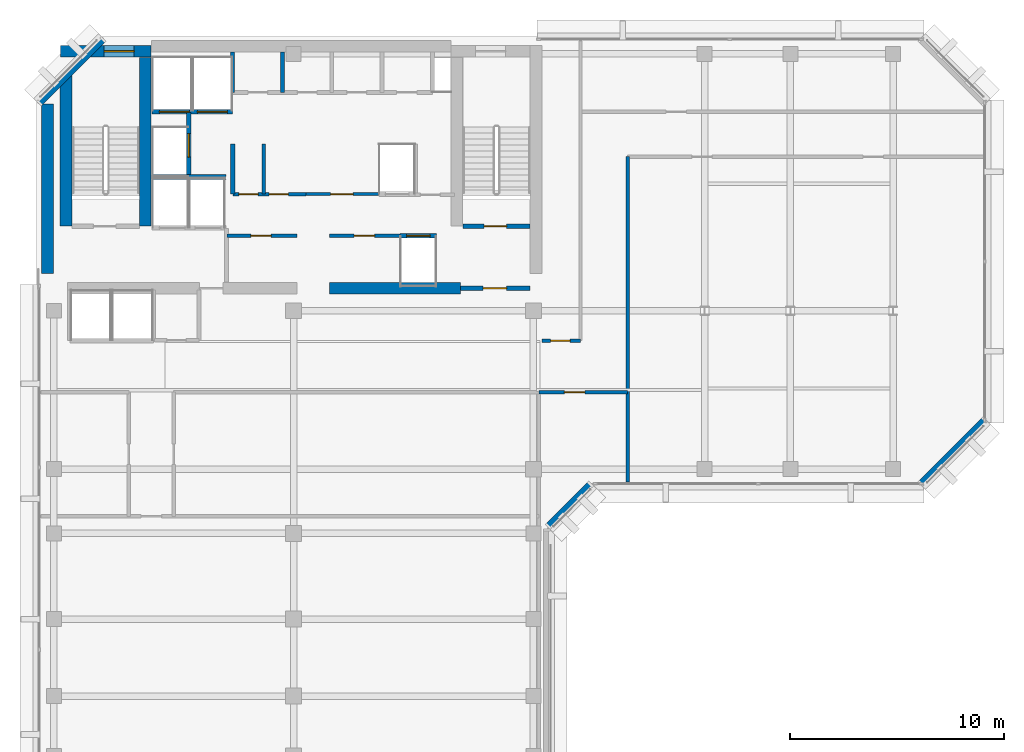
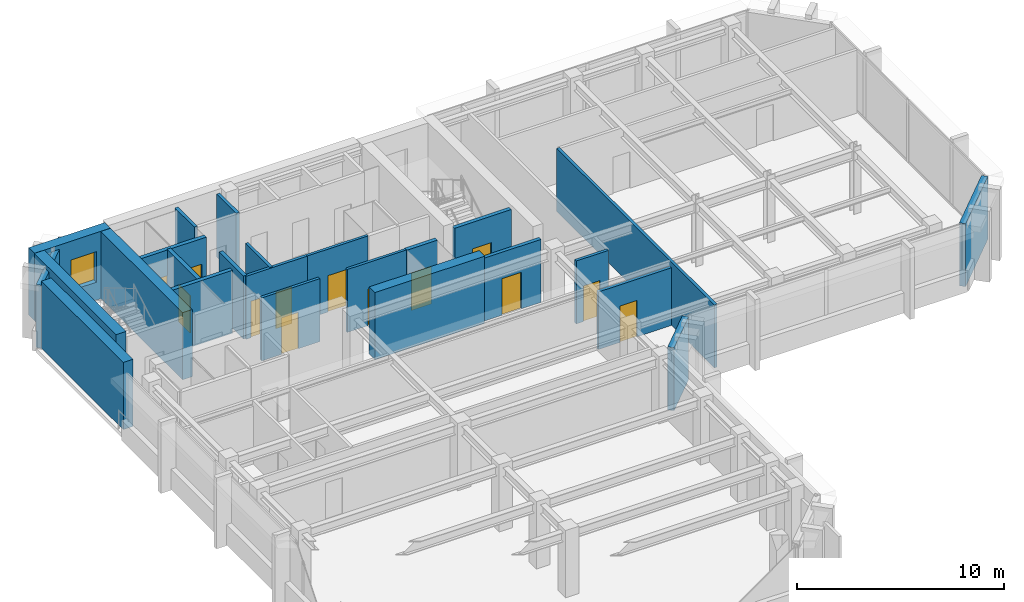
# One storey, part 7 of 11: 25 walls, 13 doors, 1 window, 14 openings.
"""IFC4 building model written with IfcOpenShell, lengths in metres."""

from ifc_helpers import new_model, si_unit, direction, frame, frame_2d, origin, place, context, subcontext, project, spatial, rectangle, extrude, material, layer, layer_set, type_object, element, fill, save


model = new_model("IFC4")

# Units and contexts
model_context = context("Model", 3, precision=1e-05, world=origin(), true_north=direction((0.0, 1.0)))
body_context = subcontext(model_context, "Body", "Model", "MODEL_VIEW")
ifc_project = project(units=[si_unit("LENGTHUNIT", "METRE"), si_unit("AREAUNIT", "SQUARE_METRE"), si_unit("VOLUMEUNIT", "CUBIC_METRE"), si_unit("PLANEANGLEUNIT", "RADIAN"), si_unit("MASSUNIT", "GRAM", prefix="KILO")], contexts=[model_context])

# Site, building, storey
site_placement = place(None, origin())
site = spatial("IfcSite", under=ifc_project, at=site_placement, CompositionType="ELEMENT")
building_placement = place(site_placement, origin())
building = spatial("IfcBuilding", under=site, at=building_placement, Name="Kefirva Bronze Tower", CompositionType="ELEMENT")
storey_placement = place(building_placement, frame((0.0, 0.0, 343.530029296875)))
storey = spatial("IfcBuildingStorey", under=building, at=storey_placement, Name="L84", CompositionType="ELEMENT", Elevation=343.530029296875)

# Wall, opening, door
ifc_material_1 = material(Name="Gypsum acoustic partition")
ifc_layer_1 = layer(ifc_material_1, 0.14990234375, Name="Gypsum acoustic partition")
ifc_layer_set_1 = layer_set([ifc_layer_1], Name="Gypsum acoustic partition")
wall_type_1 = type_object("IfcWallType", Name="Executive Suite Partition 150mm", PredefinedType="PARTITIONING", material=ifc_layer_set_1)
wall_1_placement = place(storey_placement, frame((13.679931640625, 36.699951171875, 0.0), z_axis=(0.0, 0.0, 1.0), x_axis=(1.0, 0.0, 0.0)))
wall_1 = element("IfcWall", 1, at=wall_1_placement, inside=storey, type_object=wall_type_1, Name="L84 Partition W-L84-RECMP1", PredefinedType="PARTITIONING", context=body_context, shape_type="SweptSolid", body=[
    extrude(rectangle(XDim=3.280029296875, YDim=0.14990234375, at=frame_2d((1.64013671875, 0.0))), origin(), (0.0, 0.0, 1.0), 3.7099609375),
])
opening_1_placement = place(wall_1_placement, frame((1.14990234375, 0.0, 0.0)))
opening_1 = element("IfcOpeningElement", 2, at=opening_1_placement, cuts=wall_1, Name="Opening L84-D-RECMP1", PredefinedType="OPENING", context=body_context, shape_type="SweptSolid", body=[
    extrude(rectangle(XDim=0.949951171875, YDim=2.14990234375, at=frame_2d((0.47509765625, 1.074951171875))), frame((0.0, 0.0849609375, 0.0), z_axis=(0.0, -1.0, 0.0), x_axis=(1.0, 0.0, 0.0)), (0.0, 0.0, 1.0), 0.169921875),
])
ifc_material_2 = material(Name="Acoustic hardwood oak", Category="wood")
door_type_1 = type_object("IfcDoorType", Name="Office & Meeting Room Door 950x2150", OperationType="NOTDEFINED", PredefinedType="DOOR", material=ifc_material_2)
door_1_placement = place(opening_1_placement, origin())
door_1 = element("IfcDoor", 3, at=door_1_placement, inside=storey, type_object=door_type_1, Name="Door L84-D-RECMP1", OperationType="SINGLE_SWING_LEFT", OverallHeight=2.14990234375, OverallWidth=0.949951171875, PredefinedType="DOOR", context=body_context, shape_type="SweptSolid", body=[
    extrude(rectangle(XDim=0.949951171875, YDim=2.14990234375, at=frame_2d((0.47509765625, 1.074951171875))), frame((0.0, 0.02490234375, 0.0), z_axis=(0.0, -1.0, 0.0), x_axis=(1.0, 0.0, 0.0)), (0.0, 0.0, 1.0), 0.050048828125),
])
fill(opening_1, door_1)

wall_2_placement = place(storey_placement, frame((12.580078125, 38.64990234375, 0.0), z_axis=(0.0, 0.0, 1.0), x_axis=(1.0, 0.0, 0.0)))
wall_2 = element("IfcWall", 4, at=wall_2_placement, inside=storey, type_object=wall_type_1, Name="L84 Partition W-L84-RECMP2", PredefinedType="PARTITIONING", context=body_context, shape_type="SweptSolid", body=[
    extrude(rectangle(XDim=3.3798828125, YDim=0.14990234375, at=frame_2d((1.68994140625, 0.0))), origin(), (0.0, 0.0, 1.0), 3.7099609375),
])
opening_2_placement = place(wall_2_placement, frame((2.199951171875, 0.0, 0.0), z_axis=(0.0, 0.0, 1.0), x_axis=(-1.0, 0.0, 0.0)))
opening_2 = element("IfcOpeningElement", 5, at=opening_2_placement, cuts=wall_2, Name="Opening L84-D-RECMP2", PredefinedType="OPENING", context=body_context, shape_type="SweptSolid", body=[
    extrude(rectangle(XDim=1.050048828125, YDim=2.14990234375, at=frame_2d((0.52490234375, 1.074951171875))), frame((0.0, 0.0849609375, 0.0), z_axis=(0.0, -1.0, 0.0), x_axis=(1.0, 0.0, 0.0)), (0.0, 0.0, 1.0), 0.169921875),
])
door_type_2 = type_object("IfcDoorType", Name="Executive & Boardroom Door 1050x2150", OperationType="NOTDEFINED", PredefinedType="DOOR", material=ifc_material_2)
door_2_placement = place(opening_2_placement, origin())
door_2 = element("IfcDoor", 6, at=door_2_placement, inside=storey, type_object=door_type_2, Name="Door L84-D-RECMP2", OperationType="SINGLE_SWING_RIGHT", OverallHeight=2.14990234375, OverallWidth=1.050048828125, PredefinedType="DOOR", context=body_context, shape_type="SweptSolid", body=[
    extrude(rectangle(XDim=1.050048828125, YDim=2.14990234375, at=frame_2d((0.52490234375, 1.074951171875))), frame((0.0, 0.02490234375, 0.0), z_axis=(0.0, -1.0, 0.0), x_axis=(1.0, 0.0, 0.0)), (0.0, 0.0, 1.0), 0.050048828125),
])
fill(opening_2, door_2)

ifc_material_3 = material(Name="Gypsum fireboard shaftwall")
ifc_layer_2 = layer(ifc_material_3, 0.219970703125, Name="Gypsum fireboard shaftwall")
ifc_layer_set_2 = layer_set([ifc_layer_2], Name="Gypsum fireboard shaftwall")
wall_type_2 = type_object("IfcWallType", Name="Fire-Rated Shaft Enclosure Wall 220mm", PredefinedType="PARTITIONING", material=ifc_layer_set_2)
wall_3_placement = place(storey_placement, frame((19.89990234375, 37.14990234375, 0.0), z_axis=(0.0, 0.0, 1.0), x_axis=(1.0, 0.0, 0.0)))
wall_3 = element("IfcWall", 7, at=wall_3_placement, inside=storey, type_object=wall_type_2, Name="L84 Partition W-L84-ST2S", PredefinedType="PARTITIONING", context=body_context, shape_type="SweptSolid", body=[
    extrude(rectangle(XDim=3.150146484375, YDim=0.219970703125, at=frame_2d((1.5751953125, 0.0))), origin(), (0.0, 0.0, 1.0), 3.7099609375),
])
opening_3_placement = place(wall_3_placement, frame((2.050048828125, 0.0, 0.0), z_axis=(0.0, 0.0, 1.0), x_axis=(-1.0, 0.0, 0.0)))
opening_3 = element("IfcOpeningElement", 8, at=opening_3_placement, cuts=wall_3, Name="Opening L84-D003", PredefinedType="OPENING", context=body_context, shape_type="SweptSolid", body=[
    extrude(rectangle(XDim=1.050048828125, YDim=2.14990234375, at=frame_2d((0.52490234375, 1.074951171875))), frame((0.0, 0.1201171875, 0.0), z_axis=(0.0, -1.0, 0.0), x_axis=(1.0, 0.0, 0.0)), (0.0, 0.0, 1.0), 0.239990234375),
])
ifc_material_4 = material(Name="Painted galvanized steel", Category="steel")
door_type_3 = type_object("IfcDoorType", Name="Fire Stair Enclosure Door 1050x2150 FD90S", OperationType="NOTDEFINED", PredefinedType="DOOR", material=ifc_material_4)
door_3_placement = place(opening_3_placement, origin())
door_3 = element("IfcDoor", 9, at=door_3_placement, inside=storey, type_object=door_type_3, Name="Door L84-D003", OperationType="SINGLE_SWING_RIGHT", OverallHeight=2.14990234375, OverallWidth=1.050048828125, PredefinedType="DOOR", context=body_context, shape_type="SweptSolid", body=[
    extrude(rectangle(XDim=1.050048828125, YDim=2.14990234375, at=frame_2d((0.52490234375, 1.074951171875))), frame((0.0, 0.02490234375, 0.0), z_axis=(0.0, -1.0, 0.0), x_axis=(1.0, 0.0, 0.0)), (0.0, 0.0, 1.0), 0.050048828125),
])
fill(opening_3, door_3)

# Wall
wall_4_placement = place(storey_placement, frame((5.3798828125, 39.449951171875, 0.0), z_axis=(0.0, 0.0, 1.0), x_axis=(1.0, 0.0, 0.0)))
element("IfcWall", 10, at=wall_4_placement, inside=storey, type_object=wall_type_2, Name="L84 Partition W-L84-FFN", PredefinedType="PARTITIONING", context=body_context, shape_type="SweptSolid", body=[
    extrude(rectangle(XDim=3.460205078125, YDim=0.219970703125, at=frame_2d((1.72998046875, 0.0))), origin(), (0.0, 0.0, 1.0), 3.7099609375),
])

# Wall, openings, doors
wall_5_placement = place(storey_placement, frame((5.3798828125, 42.5, 0.0), z_axis=(0.0, 0.0, 1.0), x_axis=(1.0, 0.0, 0.0)))
wall_5 = element("IfcWall", 11, at=wall_5_placement, inside=storey, type_object=wall_type_2, Name="L84 Partition W-L84-SVS", PredefinedType="PARTITIONING", context=body_context, shape_type="SweptSolid", body=[
    extrude(rectangle(XDim=3.77001953125, YDim=0.219970703125, at=frame_2d((1.885009765625, 0.0))), origin(), (0.0, 0.0, 1.0), 3.7099609375),
])
opening_4_placement = place(wall_5_placement, frame((1.75, 0.0, 0.0), z_axis=(0.0, 0.0, 1.0), x_axis=(-1.0, 0.0, 0.0)))
opening_4 = element("IfcOpeningElement", 12, at=opening_4_placement, cuts=wall_5, Name="Opening L84-LD-SV1", PredefinedType="OPENING", context=body_context, shape_type="SweptSolid", body=[
    extrude(rectangle(XDim=1.39990234375, YDim=2.199951171875, at=frame_2d((0.699951171875, 1.10009765625))), frame((0.0, 0.1201171875, 0.0), z_axis=(0.0, -1.0, 0.0), x_axis=(1.0, 0.0, 0.0)), (0.0, 0.0, 1.0), 0.239990234375),
])
opening_5_placement = place(wall_5_placement, frame((3.52978515625, 0.0, 0.0), z_axis=(0.0, 0.0, 1.0), x_axis=(-1.0, 0.0, 0.0)))
opening_5 = element("IfcOpeningElement", 13, at=opening_5_placement, cuts=wall_5, Name="Opening L84-LD-SV2", PredefinedType="OPENING", context=body_context, shape_type="SweptSolid", body=[
    extrude(rectangle(XDim=1.39990234375, YDim=2.199951171875, at=frame_2d((0.699951171875, 1.10009765625))), frame((0.0, 0.1201171875, 0.0), z_axis=(0.0, -1.0, 0.0), x_axis=(1.0, 0.0, 0.0)), (0.0, 0.0, 1.0), 0.239990234375),
])
ifc_material_5 = material(Name="Stainless steel 316", Category="steel")
door_type_4 = type_object("IfcDoorType", Name="Goods Lift Bi-Parting Sliding Door 1400x2200", OperationType="SLIDING_TO_LEFT", PredefinedType="DOOR", material=ifc_material_5)
door_4_placement = place(opening_4_placement, origin())
door_4 = element("IfcDoor", 14, at=door_4_placement, inside=storey, type_object=door_type_4, Name="Door L84-LD-SV1", OperationType="SLIDING_TO_LEFT", OverallHeight=2.199951171875, OverallWidth=1.39990234375, PredefinedType="DOOR", context=body_context, shape_type="SweptSolid", body=[
    extrude(rectangle(XDim=1.39990234375, YDim=2.199951171875, at=frame_2d((0.699951171875, 1.10009765625))), frame((0.0, 0.02490234375, 0.0), z_axis=(0.0, -1.0, 0.0), x_axis=(1.0, 0.0, 0.0)), (0.0, 0.0, 1.0), 0.050048828125),
])
fill(opening_4, door_4)
door_5_placement = place(opening_5_placement, origin())
door_5 = element("IfcDoor", 15, at=door_5_placement, inside=storey, type_object=door_type_4, Name="Door L84-LD-SV2", OperationType="SLIDING_TO_LEFT", OverallHeight=2.199951171875, OverallWidth=1.39990234375, PredefinedType="DOOR", context=body_context, shape_type="SweptSolid", body=[
    extrude(rectangle(XDim=1.39990234375, YDim=2.199951171875, at=frame_2d((0.699951171875, 1.10009765625))), frame((0.0, 0.02490234375, 0.0), z_axis=(0.0, -1.0, 0.0), x_axis=(1.0, 0.0, 0.0)), (0.0, 0.0, 1.0), 0.050048828125),
])
fill(opening_5, door_5)

# Wall, opening, door
wall_6_placement = place(storey_placement, frame((7.10009765625, 39.52001953125, 0.0), z_axis=(0.0, 0.0, 1.0), x_axis=(0.0, 1.0, 0.0)))
wall_6 = element("IfcWall", 16, at=wall_6_placement, inside=storey, type_object=wall_type_2, Name="L84 Partition W-L84-HP3E", PredefinedType="PARTITIONING", context=body_context, shape_type="SweptSolid", body=[
    extrude(rectangle(XDim=2.929931640625, YDim=0.219970703125, at=frame_2d((1.46484375, 0.0))), origin(), (0.0, 0.0, 1.0), 3.7099609375),
])
opening_6_placement = place(wall_6_placement, frame((0.85009765625, 0.0, 0.0)))
opening_6 = element("IfcOpeningElement", 17, at=opening_6_placement, cuts=wall_6, Name="Opening L84-LD-HP3", PredefinedType="OPENING", context=body_context, shape_type="SweptSolid", body=[
    extrude(rectangle(XDim=1.10009765625, YDim=2.199951171875, at=frame_2d((0.550048828125, 1.10009765625))), frame((0.0, 0.1201171875, 0.0), z_axis=(0.0, -1.0, 0.0), x_axis=(1.0, 0.0, 0.0)), (0.0, 0.0, 1.0), 0.239990234375),
])
door_type_5 = type_object("IfcDoorType", Name="Passenger Lift Sliding Landing Door 1100x2200", OperationType="SLIDING_TO_LEFT", PredefinedType="DOOR", material=ifc_material_5)
door_6_placement = place(opening_6_placement, origin())
door_6 = element("IfcDoor", 18, at=door_6_placement, inside=storey, type_object=door_type_5, Name="Door L84-LD-HP3", OperationType="SLIDING_TO_LEFT", OverallHeight=2.199951171875, OverallWidth=1.10009765625, PredefinedType="DOOR", context=body_context, shape_type="SweptSolid", body=[
    extrude(rectangle(XDim=1.10009765625, YDim=2.199951171875, at=frame_2d((0.550048828125, 1.10009765625))), frame((0.0, 0.02490234375, 0.0), z_axis=(0.0, -1.0, 0.0), x_axis=(1.0, 0.0, 0.0)), (0.0, 0.0, 1.0), 0.050048828125),
])
fill(opening_6, door_6)

# Wall
wall_7_placement = place(storey_placement, frame((9.159912109375, 38.64990234375, 0.0), z_axis=(0.0, 0.0, 1.0), x_axis=(0.0, 1.0, 0.0)))
element("IfcWall", 19, at=wall_7_placement, inside=storey, type_object=wall_type_2, Name="L84 Partition W-L84-LP3W", PredefinedType="PARTITIONING", context=body_context, shape_type="SweptSolid", body=[
    extrude(rectangle(XDim=2.35009765625, YDim=0.199951171875, at=frame_2d((1.175048828125, 0.0))), origin(), (0.0, 0.0, 1.0), 3.7099609375),
])

# Wall, opening, door
wall_8_placement = place(storey_placement, frame((16.97998046875, 36.699951171875, 0.0), z_axis=(0.0, 0.0, 1.0), x_axis=(1.0, 0.0, 0.0)))
wall_8 = element("IfcWall", 20, at=wall_8_placement, inside=storey, type_object=wall_type_2, Name="L84 Partition W-L84-HPS", PredefinedType="PARTITIONING", context=body_context, shape_type="SweptSolid", body=[
    extrude(rectangle(XDim=1.699951171875, YDim=0.219970703125, at=frame_2d((0.85009765625, 0.0))), origin(), (0.0, 0.0, 1.0), 3.7099609375),
])
opening_7_placement = place(wall_8_placement, frame((0.300048828125, 0.0, 0.0)))
opening_7 = element("IfcOpeningElement", 21, at=opening_7_placement, cuts=wall_8, Name="Opening L84-LD-HP1", PredefinedType="OPENING", context=body_context, shape_type="SweptSolid", body=[
    extrude(rectangle(XDim=1.10009765625, YDim=2.199951171875, at=frame_2d((0.550048828125, 1.10009765625))), frame((0.0, 0.1201171875, 0.0), z_axis=(0.0, -1.0, 0.0), x_axis=(1.0, 0.0, 0.0)), (0.0, 0.0, 1.0), 0.239990234375),
])
door_7_placement = place(opening_7_placement, origin())
door_7 = element("IfcDoor", 22, at=door_7_placement, inside=storey, type_object=door_type_5, Name="Door L84-LD-HP1", OperationType="SLIDING_TO_LEFT", OverallHeight=2.199951171875, OverallWidth=1.10009765625, PredefinedType="DOOR", context=body_context, shape_type="SweptSolid", body=[
    extrude(rectangle(XDim=1.10009765625, YDim=2.199951171875, at=frame_2d((0.550048828125, 1.10009765625))), frame((0.0, 0.02490234375, 0.0), z_axis=(0.0, -1.0, 0.0), x_axis=(1.0, 0.0, 0.0)), (0.0, 0.0, 1.0), 0.050048828125),
])
fill(opening_7, door_7)

ifc_material_6 = material(Name="Gypsum fireboard barrier")
ifc_layer_3 = layer(ifc_material_6, 0.199951171875, Name="Gypsum fireboard barrier")
ifc_layer_set_3 = layer_set([ifc_layer_3], Name="Gypsum fireboard barrier")
wall_type_3 = type_object("IfcWallType", Name="Firefighting Lobby Barrier Wall 200mm", PredefinedType="PARTITIONING", material=ifc_layer_set_3)
wall_9_placement = place(storey_placement, frame((19.800048828125, 34.25, 0.0), z_axis=(0.0, 0.0, 1.0), x_axis=(1.0, 0.0, 0.0)))
wall_9 = element("IfcWall", 23, at=wall_9_placement, inside=storey, type_object=wall_type_3, Name="L84 Partition W-L84-ST2F", PredefinedType="PARTITIONING", context=body_context, shape_type="SweptSolid", body=[
    extrude(rectangle(XDim=3.25, YDim=0.199951171875, at=frame_2d((1.625, 0.0))), origin(), (0.0, 0.0, 1.0), 3.7099609375),
])
opening_8_placement = place(wall_9_placement, frame((2.150146484375, 0.0, 0.0), z_axis=(0.0, 0.0, 1.0), x_axis=(-1.0, 0.0, 0.0)))
opening_8 = element("IfcOpeningElement", 24, at=opening_8_placement, cuts=wall_9, Name="Opening L84-D004", PredefinedType="OPENING", context=body_context, shape_type="SweptSolid", body=[
    extrude(rectangle(XDim=1.10009765625, YDim=2.14990234375, at=frame_2d((0.550048828125, 1.074951171875))), frame((0.0, 0.10986328125, 0.0), z_axis=(0.0, -1.0, 0.0), x_axis=(1.0, 0.0, 0.0)), (0.0, 0.0, 1.0), 0.219970703125),
])
door_type_6 = type_object("IfcDoorType", Name="Firefighting Lobby Smoke Door 1100x2150 FD60S", OperationType="NOTDEFINED", PredefinedType="DOOR", material=ifc_material_4)
door_8_placement = place(opening_8_placement, origin())
door_8 = element("IfcDoor", 25, at=door_8_placement, inside=storey, type_object=door_type_6, Name="Door L84-D004", OperationType="SINGLE_SWING_LEFT", OverallHeight=2.14990234375, OverallWidth=1.10009765625, PredefinedType="DOOR", context=body_context, shape_type="SweptSolid", body=[
    extrude(rectangle(XDim=1.10009765625, YDim=2.14990234375, at=frame_2d((0.550048828125, 1.074951171875))), frame((0.0, 0.02490234375, 0.0), z_axis=(0.0, -1.0, 0.0), x_axis=(1.0, 0.0, 0.0)), (0.0, 0.0, 1.0), 0.050048828125),
])
fill(opening_8, door_8)

# Walls
ifc_material_7 = material(Name="Precast concrete C40/50", Category="concrete")
ifc_layer_4 = layer(ifc_material_7, 0.320068359375, Name="Precast concrete C40/50")
ifc_layer_set_4 = layer_set([ifc_layer_4], Name="Precast concrete C40/50")
wall_type_4 = type_object("IfcWallType", Name="Precast Insulated Exterior Wall 320mm", PredefinedType="SOLIDWALL", material=ifc_layer_set_4)
wall_10_placement = place(storey_placement, frame((23.92578125, 23.152099609375, 0.0), z_axis=(0.0, 0.0, 1.0), x_axis=(0.707106781187, 0.707106781187, 0.0)))
element("IfcWall", 26, at=wall_10_placement, inside=storey, type_object=wall_type_4, Name="L84 Exterior Facade Wall 3", PredefinedType="SOLIDWALL", context=body_context, shape_type="SweptSolid", body=[
    extrude(rectangle(XDim=2.71826171875, YDim=0.320068359375, at=frame_2d((1.359130859375, 0.0))), origin(), (0.0, 0.0, 1.0), 3.7099609375),
])
for number, where, z_axis, x_axis, name in (
    (27, (41.32568359375, 25.152099609375, 0.0), (0.0, 0.0, 1.0), (0.707136318428, 0.707077242712, 0.0), "L84 Exterior Facade Wall 4"),
    (28, (3.07421875, 45.847900390625, 0.0), (0.0, 0.0, 1.0), (-0.707106781187, -0.707106781187, 0.0), "L84 Exterior Facade Wall 6"),
):
    element("IfcWall", number, at=place(storey_placement, frame(where, z_axis=z_axis, x_axis=x_axis)), inside=storey, type_object=wall_type_4, Name=name, PredefinedType="SOLIDWALL", context=body_context, shape_type="SweptSolid", body=[
        extrude(rectangle(XDim=4.132568359375, YDim=0.320068359375, at=frame_2d((2.06640625, 0.0))), origin(), (0.0, 0.0, 1.0), 3.7099609375),
    ])

# Wall, opening, door
ifc_layer_5 = layer(ifc_material_1, 0.159912109375, Name="Gypsum acoustic partition")
ifc_layer_set_5 = layer_set([ifc_layer_5], Name="Gypsum acoustic partition")
wall_type_5 = type_object("IfcWallType", Name="Protected Corridor Partition 160mm", PredefinedType="PARTITIONING", material=ifc_layer_set_5)
wall_11_placement = place(storey_placement, frame((8.89990234375, 36.699951171875, 0.0), z_axis=(0.0, 0.0, 1.0), x_axis=(1.0, 0.0, 0.0)))
wall_11 = element("IfcWall", 29, at=wall_11_placement, inside=storey, type_object=wall_type_5, Name="L84 Partition W-L84-RECLP1", PredefinedType="PARTITIONING", context=body_context, shape_type="SweptSolid", body=[
    extrude(rectangle(XDim=3.25, YDim=0.159912109375, at=frame_2d((1.625, 0.0))), origin(), (0.0, 0.0, 1.0), 3.7099609375),
])
opening_9_placement = place(wall_11_placement, frame((1.10009765625, 0.0, 0.0)))
opening_9 = element("IfcOpeningElement", 30, at=opening_9_placement, cuts=wall_11, Name="Opening L84-D-RECLP1", PredefinedType="OPENING", context=body_context, shape_type="SweptSolid", body=[
    extrude(rectangle(XDim=0.949951171875, YDim=2.14990234375, at=frame_2d((0.47509765625, 1.074951171875))), frame((0.0, 0.08984375, 0.0), z_axis=(0.0, -1.0, 0.0), x_axis=(1.0, 0.0, 0.0)), (0.0, 0.0, 1.0), 0.179931640625),
])
door_9_placement = place(opening_9_placement, origin())
door_9 = element("IfcDoor", 31, at=door_9_placement, inside=storey, type_object=door_type_1, Name="Door L84-D-RECLP1", OperationType="SINGLE_SWING_RIGHT", OverallHeight=2.14990234375, OverallWidth=0.949951171875, PredefinedType="DOOR", context=body_context, shape_type="SweptSolid", body=[
    extrude(rectangle(XDim=0.949951171875, YDim=2.14990234375, at=frame_2d((0.47509765625, 1.074951171875))), frame((0.0, 0.02490234375, 0.0), z_axis=(0.0, -1.0, 0.0), x_axis=(1.0, 0.0, 0.0)), (0.0, 0.0, 1.0), 0.050048828125),
])
fill(opening_9, door_9)

# Wall, openings, doors
wall_12_placement = place(storey_placement, frame((9.159912109375, 38.64990234375, 0.0), z_axis=(0.0, 0.0, 1.0), x_axis=(1.0, 0.0, 0.0)))
wall_12 = element("IfcWall", 32, at=wall_12_placement, inside=storey, type_object=wall_type_5, Name="L84 Partition W-L84-RECLP2", PredefinedType="PARTITIONING", context=body_context, shape_type="SweptSolid", body=[
    extrude(rectangle(XDim=3.420166015625, YDim=0.159912109375, at=frame_2d((1.7099609375, 0.0))), origin(), (0.0, 0.0, 1.0), 3.7099609375),
])
opening_10_placement = place(wall_12_placement, frame((1.179931640625, 0.0, 0.0), z_axis=(0.0, 0.0, 1.0), x_axis=(-1.0, 0.0, 0.0)))
opening_10 = element("IfcOpeningElement", 33, at=opening_10_placement, cuts=wall_12, Name="Opening L84-D-RECLP2A", PredefinedType="OPENING", context=body_context, shape_type="SweptSolid", body=[
    extrude(rectangle(XDim=0.89990234375, YDim=2.14990234375, at=frame_2d((0.449951171875, 1.074951171875))), frame((0.0, 0.08984375, 0.0), z_axis=(0.0, -1.0, 0.0), x_axis=(1.0, 0.0, 0.0)), (0.0, 0.0, 1.0), 0.179931640625),
])
opening_11_placement = place(wall_12_placement, frame((2.599853515625, 0.0, 0.0), z_axis=(0.0, 0.0, 1.0), x_axis=(-1.0, 0.0, 0.0)))
opening_11 = element("IfcOpeningElement", 34, at=opening_11_placement, cuts=wall_12, Name="Opening L84-D-RECLP2B", PredefinedType="OPENING", context=body_context, shape_type="SweptSolid", body=[
    extrude(rectangle(XDim=0.89990234375, YDim=2.14990234375, at=frame_2d((0.449951171875, 1.074951171875))), frame((0.0, 0.08984375, 0.0), z_axis=(0.0, -1.0, 0.0), x_axis=(1.0, 0.0, 0.0)), (0.0, 0.0, 1.0), 0.179931640625),
])
door_type_7 = type_object("IfcDoorType", Name="Core Archive & Server Fire Door 900x2150 FD60S", OperationType="NOTDEFINED", PredefinedType="DOOR", material=ifc_material_4)
door_10_placement = place(opening_10_placement, origin())
door_10 = element("IfcDoor", 35, at=door_10_placement, inside=storey, type_object=door_type_7, Name="Door L84-D-RECLP2A", OperationType="SINGLE_SWING_LEFT", OverallHeight=2.14990234375, OverallWidth=0.89990234375, PredefinedType="DOOR", context=body_context, shape_type="SweptSolid", body=[
    extrude(rectangle(XDim=0.89990234375, YDim=2.14990234375, at=frame_2d((0.449951171875, 1.074951171875))), frame((0.0, 0.02490234375, 0.0), z_axis=(0.0, -1.0, 0.0), x_axis=(1.0, 0.0, 0.0)), (0.0, 0.0, 1.0), 0.050048828125),
])
fill(opening_10, door_10)
door_11_placement = place(opening_11_placement, origin())
door_11 = element("IfcDoor", 36, at=door_11_placement, inside=storey, type_object=door_type_7, Name="Door L84-D-RECLP2B", OperationType="SINGLE_SWING_RIGHT", OverallHeight=2.14990234375, OverallWidth=0.89990234375, PredefinedType="DOOR", context=body_context, shape_type="SweptSolid", body=[
    extrude(rectangle(XDim=0.89990234375, YDim=2.14990234375, at=frame_2d((0.449951171875, 1.074951171875))), frame((0.0, 0.02490234375, 0.0), z_axis=(0.0, -1.0, 0.0), x_axis=(1.0, 0.0, 0.0)), (0.0, 0.0, 1.0), 0.050048828125),
])
fill(opening_11, door_11)

# Walls
wall_13_placement = place(storey_placement, frame((10.60009765625, 38.64990234375, 0.0), z_axis=(0.0, 0.0, 1.0), x_axis=(0.0, 1.0, 0.0)))
element("IfcWall", 37, at=wall_13_placement, inside=storey, type_object=wall_type_5, Name="L84 Partition W-L84-RECLP2D", PredefinedType="PARTITIONING", context=body_context, shape_type="SweptSolid", body=[
    extrude(rectangle(XDim=2.35009765625, YDim=0.159912109375, at=frame_2d((1.175048828125, 0.0))), origin(), (0.0, 0.0, 1.0), 3.7099609375),
])
wall_14_placement = place(storey_placement, frame((27.60009765625, 25.18994140625, 0.0), z_axis=(0.0, 0.0, 1.0), x_axis=(0.0, 1.0, 0.0)))
element("IfcWall", 38, at=wall_14_placement, inside=storey, type_object=wall_type_5, Name="L84 Partition W-L84-E31E", PredefinedType="PARTITIONING", context=body_context, shape_type="SweptSolid", body=[
    extrude(rectangle(XDim=15.2099609375, YDim=0.159912109375, at=frame_2d((7.60498046875, 0.0))), origin(), (0.0, 0.0, 1.0), 3.7099609375),
])

# Wall, opening, door
wall_15_placement = place(storey_placement, frame((23.449951171875, 29.39990234375, 0.0), z_axis=(0.0, 0.0, 1.0), x_axis=(1.0, 0.0, 0.0)))
wall_15 = element("IfcWall", 39, at=wall_15_placement, inside=storey, type_object=wall_type_5, Name="L84 Partition W-L84-E31S0", PredefinedType="PARTITIONING", context=body_context, shape_type="SweptSolid", body=[
    extrude(rectangle(XDim=4.150146484375, YDim=0.159912109375, at=frame_2d((2.0751953125, 0.0))), origin(), (0.0, 0.0, 1.0), 3.39501953125),
])
opening_12_placement = place(wall_15_placement, frame((2.14990234375, 0.0, 0.0), z_axis=(0.0, 0.0, 1.0), x_axis=(-1.0, 0.0, 0.0)))
opening_12 = element("IfcOpeningElement", 40, at=opening_12_placement, cuts=wall_15, Name="Opening L84-D-E31SW", PredefinedType="OPENING", context=body_context, shape_type="SweptSolid", body=[
    extrude(rectangle(XDim=0.949951171875, YDim=2.14990234375, at=frame_2d((0.47509765625, 1.074951171875))), frame((0.0, 0.08984375, 0.0), z_axis=(0.0, -1.0, 0.0), x_axis=(1.0, 0.0, 0.0)), (0.0, 0.0, 1.0), 0.179931640625),
])
door_12_placement = place(opening_12_placement, origin())
door_12 = element("IfcDoor", 41, at=door_12_placement, inside=storey, type_object=door_type_1, Name="Door L84-D-E31SW", OperationType="SINGLE_SWING_LEFT", OverallHeight=2.14990234375, OverallWidth=0.949951171875, PredefinedType="DOOR", context=body_context, shape_type="SweptSolid", body=[
    extrude(rectangle(XDim=0.949951171875, YDim=2.14990234375, at=frame_2d((0.47509765625, 1.074951171875))), frame((0.0, 0.02490234375, 0.0), z_axis=(0.0, -1.0, 0.0), x_axis=(1.0, 0.0, 0.0)), (0.0, 0.0, 1.0), 0.050048828125),
])
fill(opening_12, door_12)

wall_16_placement = place(storey_placement, frame((23.60009765625, 31.800048828125, 0.0), z_axis=(0.0, 0.0, 1.0), x_axis=(1.0, 0.0, 0.0)))
wall_16 = element("IfcWall", 42, at=wall_16_placement, inside=storey, type_object=wall_type_5, Name="L84 Partition W-L84-E31PK", PredefinedType="PARTITIONING", context=body_context, shape_type="SweptSolid", body=[
    extrude(rectangle(XDim=1.7998046875, YDim=0.159912109375, at=frame_2d((0.89990234375, 0.0))), origin(), (0.0, 0.0, 1.0), 3.7099609375),
])
opening_13_placement = place(wall_16_placement, frame((0.39990234375, 0.0, 0.0)))
opening_13 = element("IfcOpeningElement", 43, at=opening_13_placement, cuts=wall_16, Name="Opening L84-D-E31PK", PredefinedType="OPENING", context=body_context, shape_type="SweptSolid", body=[
    extrude(rectangle(XDim=0.919921875, YDim=2.10009765625, at=frame_2d((0.4599609375, 1.050048828125))), frame((0.0, 0.08984375, 0.0), z_axis=(0.0, -1.0, 0.0), x_axis=(1.0, 0.0, 0.0)), (0.0, 0.0, 1.0), 0.179931640625),
])
ifc_material_8 = material(Name="Moisture-resistant timber", Category="wood")
door_type_8 = type_object("IfcDoorType", Name="Accessible Sanitary & WC Door 920x2100", OperationType="NOTDEFINED", PredefinedType="DOOR", material=ifc_material_8)
door_13_placement = place(opening_13_placement, origin())
door_13 = element("IfcDoor", 44, at=door_13_placement, inside=storey, type_object=door_type_8, Name="Door L84-D-E31PK", OperationType="SINGLE_SWING_RIGHT", OverallHeight=2.10009765625, OverallWidth=0.919921875, PredefinedType="DOOR", context=body_context, shape_type="SweptSolid", body=[
    extrude(rectangle(XDim=0.919921875, YDim=2.10009765625, at=frame_2d((0.4599609375, 1.050048828125))), frame((0.0, 0.02490234375, 0.0), z_axis=(0.0, -1.0, 0.0), x_axis=(1.0, 0.0, 0.0)), (0.0, 0.0, 1.0), 0.050048828125),
])
fill(opening_13, door_13)

# Wall
ifc_material_9 = material(Name="Concrete C50/60", Category="concrete")
ifc_layer_6 = layer(ifc_material_9, 0.550048828125, Name="Concrete C50/60")
ifc_layer_set_6 = layer_set([ifc_layer_6], Name="Concrete C50/60")
wall_type_6 = type_object("IfcWallType", Name="RC Rear Core Exterior Wall 550mm", PredefinedType="SHEAR", material=ifc_layer_set_6)
wall_17_placement = place(storey_placement, frame((0.5, 34.949951171875, 0.0), z_axis=(0.0, 0.0, 1.0), x_axis=(0.0, 1.0, 0.0)))
element("IfcWall", 45, at=wall_17_placement, inside=storey, type_object=wall_type_6, Name="L84 Rear Core West Shear Wall", PredefinedType="SHEAR", context=body_context, shape_type="SweptSolid", body=[
    extrude(rectangle(XDim=7.900146484375, YDim=0.550048828125, at=frame_2d((3.9501953125, 0.0))), origin(), (0.0, 0.0, 1.0), 3.9599609375),
])

# Wall, opening, window
wall_18_placement = place(storey_placement, frame((1.10009765625, 45.320068359375, 0.0), z_axis=(0.0, 0.0, 1.0), x_axis=(1.0, 0.0, 0.0)))
wall_18 = element("IfcWall", 46, at=wall_18_placement, inside=storey, type_object=wall_type_6, Name="L84 Stair 1 North Shear Wall", PredefinedType="SHEAR", context=body_context, shape_type="SweptSolid", body=[
    extrude(rectangle(XDim=4.239990234375, YDim=0.550048828125, at=frame_2d((2.1201171875, 0.0))), origin(), (0.0, 0.0, 1.0), 3.9599609375),
])
opening_14_placement = place(wall_18_placement, frame((2.050048828125, 0.0, 1.050048828125)))
opening_14 = element("IfcOpeningElement", 47, at=opening_14_placement, cuts=wall_18, Name="Opening WN-03", PredefinedType="OPENING", context=body_context, shape_type="SweptSolid", body=[
    extrude(rectangle(XDim=1.39990234375, YDim=1.800048828125, at=frame_2d((0.699951171875, 0.89990234375))), frame((0.0, 0.28515625, 0.0), z_axis=(0.0, -1.0, 0.0), x_axis=(1.0, 0.0, 0.0)), (0.0, 0.0, 1.0), 0.570068359375),
])
ifc_material_10 = material(Name="Laminated low-E double glazing", Category="glass")
window_type = type_object("IfcWindowType", Name="Rear-Core Stair Daylight Window 1400x1800", PartitioningType="SINGLE_PANEL", PredefinedType="WINDOW", material=ifc_material_10)
window_placement = place(opening_14_placement, origin())
window = element("IfcWindow", 48, at=window_placement, inside=storey, type_object=window_type, Name="L84 Stair 1 Daylight Window", OverallHeight=1.800048828125, OverallWidth=1.39990234375, PartitioningType="SINGLE_PANEL", PredefinedType="WINDOW", context=body_context, shape_type="SweptSolid", body=[
    extrude(rectangle(XDim=1.39990234375, YDim=1.800048828125, at=frame_2d((0.699951171875, 0.89990234375))), frame((0.0, 0.030029296875, 0.0), z_axis=(0.0, -1.0, 0.0), x_axis=(1.0, 0.0, 0.0)), (0.0, 0.0, 1.0), 0.06005859375),
])
fill(opening_14, window)

# Walls
ifc_layer_7 = layer(ifc_material_9, 0.550048828125, Name="Concrete C50/60")
ifc_layer_set_7 = layer_set([ifc_layer_7], Name="Concrete C50/60")
wall_type_7 = type_object("IfcWallType", Name="RC Rear Core Interior Wall 550mm", PredefinedType="SHEAR", material=ifc_layer_set_7)
wall_19_placement = place(storey_placement, frame((13.679931640625, 34.25, 0.0), z_axis=(0.0, 0.0, 1.0), x_axis=(1.0, 0.0, 0.0)))
element("IfcWall", 49, at=wall_19_placement, inside=storey, type_object=wall_type_7, Name="L84 Rear Core South-East Shear Wall", PredefinedType="SHEAR", context=body_context, shape_type="SweptSolid", body=[
    extrude(rectangle(XDim=6.1201171875, YDim=0.550048828125, at=frame_2d((3.06005859375, 0.0))), origin(), (0.0, 0.0, 1.0), 3.9599609375),
])
for number, where, z_axis, x_axis, name in (
    (50, (1.3701171875, 37.14990234375, 0.0), (0.0, 0.0, 1.0), (0.0, 1.0, 0.0), "L84 Stair 1 West Shear Wall"),
    (51, (5.070068359375, 37.14990234375, 0.0), (0.0, 0.0, 1.0), (0.0, 1.0, 0.0), "L84 Stair 1 East Shear Wall"),
):
    element("IfcWall", number, at=place(storey_placement, frame(where, z_axis=z_axis, x_axis=x_axis)), inside=storey, type_object=wall_type_7, Name=name, PredefinedType="SHEAR", context=body_context, shape_type="SweptSolid", body=[
        extrude(rectangle(XDim=7.89013671875, YDim=0.550048828125, at=frame_2d((3.945068359375, 0.0))), origin(), (0.0, 0.0, 1.0), 3.9599609375),
    ])
ifc_material_11 = material(Name="Moisture-resistant partition")
ifc_layer_8 = layer(ifc_material_11, 0.179931640625, Name="Moisture-resistant partition")
ifc_layer_set_8 = layer_set([ifc_layer_8], Name="Moisture-resistant partition")
wall_type_8 = type_object("IfcWallType", Name="Sanitary Plumbing Chase Wall 180mm", PredefinedType="PLUMBINGWALL", material=ifc_layer_set_8)
for number, where, z_axis, x_axis, name in (
    (52, (9.14990234375, 43.39990234375, 0.0), (0.0, 0.0, 1.0), (0.0, 1.0, 0.0), "L84 Partition W-L84-SVCW"),
    (53, (11.47998046875, 43.39990234375, 0.0), (0.0, 0.0, 1.0), (0.0, 1.0, 0.0), "L84 Partition W-L84-CSVD-1"),
):
    element("IfcWall", number, at=place(storey_placement, frame(where, z_axis=z_axis, x_axis=x_axis)), inside=storey, type_object=wall_type_8, Name=name, PredefinedType="PLUMBINGWALL", context=body_context, shape_type="SweptSolid", body=[
        extrude(rectangle(XDim=1.880126953125, YDim=0.179931640625, at=frame_2d((0.93994140625, 0.0))), origin(), (0.0, 0.0, 1.0), 3.7099609375),
    ])

save(model, "model.ifc")
